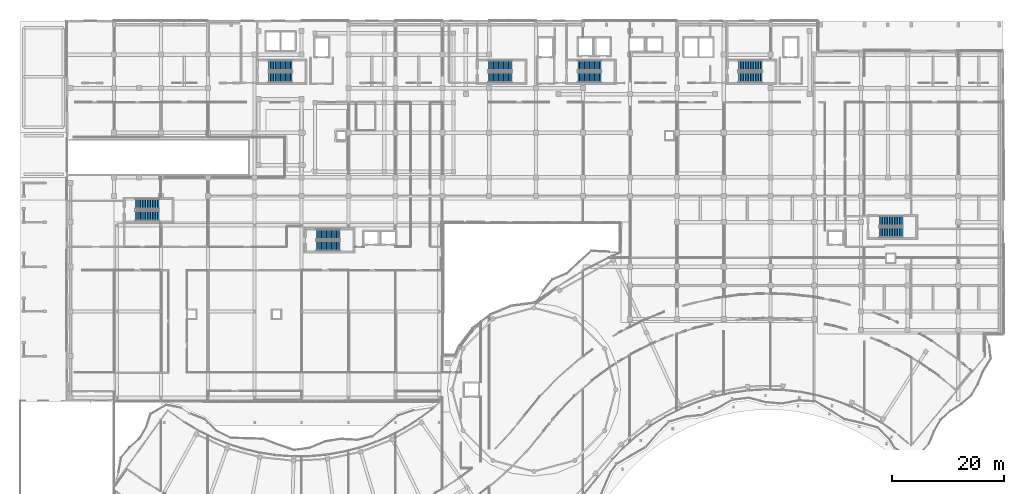
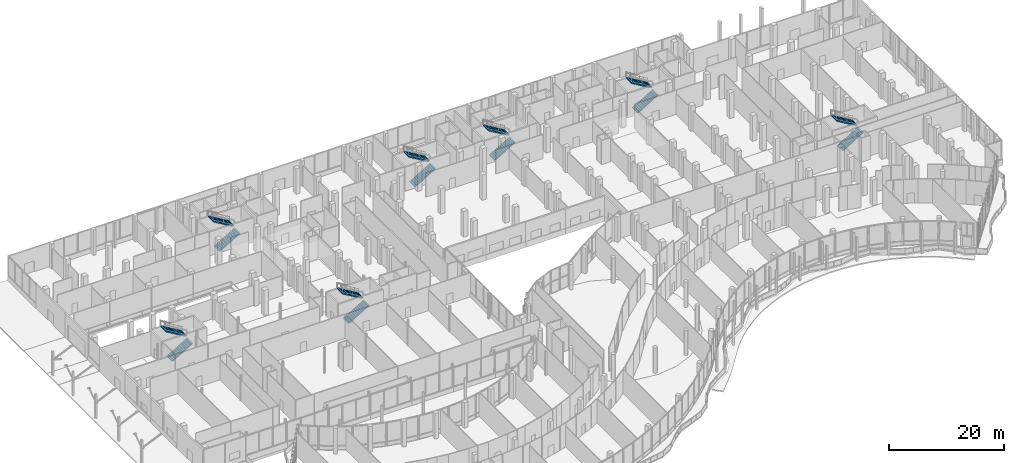
# One storey, part 146 of 158: 14 stair flights, 7 elements without a shape of their own.
"""IFC4 building model written with IfcOpenShell, lengths in metres."""

from ifc_helpers import new_model, si_unit, direction, frame, origin, place, context, subcontext, project, spatial, polyline, outline, extrude, material, layer, layer_set, type_object, element, aggregate, save


model = new_model("IFC4")

# Units and contexts
model_context = context("Model", 3, precision=1e-05, world=origin(), true_north=direction((0.0, 1.0)))
body_context = subcontext(model_context, "Body", "Model", "MODEL_VIEW")
ifc_project = project(units=[si_unit("LENGTHUNIT", "METRE"), si_unit("AREAUNIT", "SQUARE_METRE"), si_unit("VOLUMEUNIT", "CUBIC_METRE"), si_unit("PLANEANGLEUNIT", "RADIAN"), si_unit("MASSUNIT", "GRAM", prefix="KILO")], contexts=[model_context])

# Site, building, storey
site_placement = place(None, origin())
site = spatial("IfcSite", under=ifc_project, at=site_placement, CompositionType="ELEMENT")
building_placement = place(site_placement, origin())
building = spatial("IfcBuilding", under=site, at=building_placement, Name="Selatvlak General Hospital", CompositionType="ELEMENT")
storey_placement = place(building_placement, origin())
storey = spatial("IfcBuildingStorey", under=building, at=storey_placement, Name="L00", CompositionType="ELEMENT", Elevation=0.0)

# Stair, stair flights
ifc_material = material(Name="Precast concrete C40/50", Category="concrete")
stair_type_1 = type_object("IfcStairType", Name="STAIR-ST-01", PredefinedType="HALF_TURN_STAIR", material=ifc_material)
stair_1_placement = place(storey_placement, origin())
stair_1 = element("IfcStair", 1, at=stair_1_placement, inside=storey, type_object=stair_type_1, Name="L00 Protected exit stair ST-01", PredefinedType="HALF_TURN_STAIR")
ifc_layer_1 = layer(ifc_material, 0.179931640625, Name="Precast concrete C40/50", Category="concrete")
ifc_layer_set_1 = layer_set([ifc_layer_1], Name="Precast concrete C40/50")
stair_flight_type_1 = type_object("IfcStairFlightType", Name="FLIGHT-ST-01", PredefinedType="STRAIGHT", material=ifc_layer_set_1)
stair_flight_1_placement = place(storey_placement, frame((50.510009765625, 109.929931640625, 0.0), z_axis=(0.0, 0.0, 1.0), x_axis=(1.0, 0.0, 0.0)))
stair_flight_1 = element("IfcStairFlight", 2, at=stair_flight_1_placement, type_object=stair_flight_type_1, Name="ST-01 flight 1", NumberOfRisers=15, NumberOfTreads=14, PredefinedType="STRAIGHT", RiserHeight=0.18, TreadLength=0.3, context=body_context, shape_type="SweptSolid", body=[
    extrude(outline(polyline([(0.0, 0.0), (0.0, 0.179931640625), (0.300048828125, 0.179931640625), (0.300048828125, 0.360107421875), (0.60009765625, 0.360107421875), (0.60009765625, 0.5400390625), (0.89990234375, 0.5400390625), (0.89990234375, 0.719970703125), (1.199951171875, 0.719970703125), (1.199951171875, 0.89990234375), (1.5, 0.89990234375), (1.5, 1.080078125), (1.800048828125, 1.080078125), (1.800048828125, 1.260009765625), (2.10009765625, 1.260009765625), (2.10009765625, 1.43994140625), (2.39990234375, 1.43994140625), (2.39990234375, 1.6201171875), (2.699951171875, 1.6201171875), (2.699951171875, 1.800048828125), (3.0, 1.800048828125), (3.0, 1.97998046875), (3.300048828125, 1.97998046875), (3.300048828125, 2.159912109375), (3.60009765625, 2.159912109375), (3.60009765625, 2.340087890625), (3.89990234375, 2.340087890625), (3.89990234375, 2.52001953125), (4.199951171875, 2.52001953125), (4.199951171875, 2.699951171875), (4.199951171875, 2.31005859375), (0.349609375, 0.0), (0.0, 0.0)])), frame((0.0, 0.93017578125, 0.0), z_axis=(0.0, -1.0, 0.0), x_axis=(1.0, 0.0, 0.0)), (0.0, 0.0, 1.0), 1.860107421875),
])
stair_flight_2_placement = place(storey_placement, frame((54.7099609375, 112.010009765625, 2.699951171875), z_axis=(0.0, 0.0, 1.0), x_axis=(-1.0, 0.0, 0.0)))
stair_flight_2 = element("IfcStairFlight", 3, at=stair_flight_2_placement, type_object=stair_flight_type_1, Name="ST-01 flight 2", NumberOfRisers=15, NumberOfTreads=14, PredefinedType="STRAIGHT", RiserHeight=0.18, TreadLength=0.3, context=body_context, shape_type="SweptSolid", body=[
    extrude(outline(polyline([(0.0, 0.0), (0.0, 0.179931640625), (0.300048828125, 0.179931640625), (0.300048828125, 0.360107421875), (0.60009765625, 0.360107421875), (0.60009765625, 0.5400390625), (0.89990234375, 0.5400390625), (0.89990234375, 0.719970703125), (1.199951171875, 0.719970703125), (1.199951171875, 0.89990234375), (1.5, 0.89990234375), (1.5, 1.080078125), (1.800048828125, 1.080078125), (1.800048828125, 1.260009765625), (2.10009765625, 1.260009765625), (2.10009765625, 1.43994140625), (2.39990234375, 1.43994140625), (2.39990234375, 1.6201171875), (2.699951171875, 1.6201171875), (2.699951171875, 1.800048828125), (3.0, 1.800048828125), (3.0, 1.97998046875), (3.300048828125, 1.97998046875), (3.300048828125, 2.159912109375), (3.60009765625, 2.159912109375), (3.60009765625, 2.340087890625), (3.89990234375, 2.340087890625), (3.89990234375, 2.52001953125), (4.199951171875, 2.52001953125), (4.199951171875, 2.699951171875), (4.199951171875, 2.31005859375), (0.349609375, 0.0), (0.0, 0.0)])), frame((0.0, 0.93017578125, 0.0), z_axis=(0.0, -1.0, 0.0), x_axis=(1.0, 0.0, 0.0)), (0.0, 0.0, 1.0), 1.860107421875),
])
aggregate(stair_1, [stair_flight_1, stair_flight_2])

stair_type_2 = type_object("IfcStairType", Name="STAIR-ST-02", PredefinedType="HALF_TURN_STAIR", material=ifc_material)
stair_2_placement = place(storey_placement, origin())
stair_2 = element("IfcStair", 4, at=stair_2_placement, inside=storey, type_object=stair_type_2, Name="L00 Protected exit stair ST-02", PredefinedType="HALF_TURN_STAIR")
ifc_layer_2 = layer(ifc_material, 0.179931640625, Name="Precast concrete C40/50", Category="concrete")
ifc_layer_set_2 = layer_set([ifc_layer_2], Name="Precast concrete C40/50")
stair_flight_type_2 = type_object("IfcStairFlightType", Name="FLIGHT-ST-02", PredefinedType="STRAIGHT", material=ifc_layer_set_2)
stair_flight_3_placement = place(storey_placement, frame((89.860107421875, 109.929931640625, 0.0), z_axis=(0.0, 0.0, 1.0), x_axis=(1.0, 0.0, 0.0)))
stair_flight_3 = element("IfcStairFlight", 5, at=stair_flight_3_placement, type_object=stair_flight_type_2, Name="ST-02 flight 1", NumberOfRisers=15, NumberOfTreads=14, PredefinedType="STRAIGHT", RiserHeight=0.18, TreadLength=0.3, context=body_context, shape_type="SweptSolid", body=[
    extrude(outline(polyline([(0.0, 0.0), (0.0, 0.179931640625), (0.300048828125, 0.179931640625), (0.300048828125, 0.360107421875), (0.60009765625, 0.360107421875), (0.60009765625, 0.5400390625), (0.89990234375, 0.5400390625), (0.89990234375, 0.719970703125), (1.199951171875, 0.719970703125), (1.199951171875, 0.89990234375), (1.5, 0.89990234375), (1.5, 1.080078125), (1.800048828125, 1.080078125), (1.800048828125, 1.260009765625), (2.10009765625, 1.260009765625), (2.10009765625, 1.43994140625), (2.39990234375, 1.43994140625), (2.39990234375, 1.6201171875), (2.699951171875, 1.6201171875), (2.699951171875, 1.800048828125), (3.0, 1.800048828125), (3.0, 1.97998046875), (3.300048828125, 1.97998046875), (3.300048828125, 2.159912109375), (3.60009765625, 2.159912109375), (3.60009765625, 2.340087890625), (3.89990234375, 2.340087890625), (3.89990234375, 2.52001953125), (4.199951171875, 2.52001953125), (4.199951171875, 2.699951171875), (4.199951171875, 2.31005859375), (0.349609375, 0.0), (0.0, 0.0)])), frame((0.0, 0.93017578125, 0.0), z_axis=(0.0, -1.0, 0.0), x_axis=(1.0, 0.0, 0.0)), (0.0, 0.0, 1.0), 1.860107421875),
])
stair_flight_4_placement = place(storey_placement, frame((94.06005859375, 112.010009765625, 2.699951171875), z_axis=(0.0, 0.0, 1.0), x_axis=(-1.0, 0.0, 0.0)))
stair_flight_4 = element("IfcStairFlight", 6, at=stair_flight_4_placement, type_object=stair_flight_type_2, Name="ST-02 flight 2", NumberOfRisers=15, NumberOfTreads=14, PredefinedType="STRAIGHT", RiserHeight=0.18, TreadLength=0.3, context=body_context, shape_type="SweptSolid", body=[
    extrude(outline(polyline([(0.0, 0.0), (0.0, 0.179931640625), (0.300048828125, 0.179931640625), (0.300048828125, 0.360107421875), (0.60009765625, 0.360107421875), (0.60009765625, 0.5400390625), (0.89990234375, 0.5400390625), (0.89990234375, 0.719970703125), (1.199951171875, 0.719970703125), (1.199951171875, 0.89990234375), (1.5, 0.89990234375), (1.5, 1.080078125), (1.800048828125, 1.080078125), (1.800048828125, 1.260009765625), (2.10009765625, 1.260009765625), (2.10009765625, 1.43994140625), (2.39990234375, 1.43994140625), (2.39990234375, 1.6201171875), (2.699951171875, 1.6201171875), (2.699951171875, 1.800048828125), (3.0, 1.800048828125), (3.0, 1.97998046875), (3.300048828125, 1.97998046875), (3.300048828125, 2.159912109375), (3.60009765625, 2.159912109375), (3.60009765625, 2.340087890625), (3.89990234375, 2.340087890625), (3.89990234375, 2.52001953125), (4.199951171875, 2.52001953125), (4.199951171875, 2.699951171875), (4.199951171875, 2.31005859375), (0.349609375, 0.0), (0.0, 0.0)])), frame((0.0, 0.93017578125, 0.0), z_axis=(0.0, -1.0, 0.0), x_axis=(1.0, 0.0, 0.0)), (0.0, 0.0, 1.0), 1.860107421875),
])
aggregate(stair_2, [stair_flight_3, stair_flight_4])

stair_type_3 = type_object("IfcStairType", Name="STAIR-ST-03", PredefinedType="HALF_TURN_STAIR", material=ifc_material)
stair_3_placement = place(storey_placement, origin())
stair_3 = element("IfcStair", 7, at=stair_3_placement, inside=storey, type_object=stair_type_3, Name="L00 Protected exit stair ST-03", PredefinedType="HALF_TURN_STAIR")
ifc_layer_3 = layer(ifc_material, 0.179931640625, Name="Precast concrete C40/50", Category="concrete")
ifc_layer_set_3 = layer_set([ifc_layer_3], Name="Precast concrete C40/50")
stair_flight_type_3 = type_object("IfcStairFlightType", Name="FLIGHT-ST-03", PredefinedType="STRAIGHT", material=ifc_layer_set_3)
stair_flight_5_placement = place(storey_placement, frame((105.860107421875, 109.929931640625, 0.0), z_axis=(0.0, 0.0, 1.0), x_axis=(1.0, 0.0, 0.0)))
stair_flight_5 = element("IfcStairFlight", 8, at=stair_flight_5_placement, type_object=stair_flight_type_3, Name="ST-03 flight 1", NumberOfRisers=15, NumberOfTreads=14, PredefinedType="STRAIGHT", RiserHeight=0.18, TreadLength=0.3, context=body_context, shape_type="SweptSolid", body=[
    extrude(outline(polyline([(0.0, 0.0), (0.0, 0.179931640625), (0.300048828125, 0.179931640625), (0.300048828125, 0.360107421875), (0.60009765625, 0.360107421875), (0.60009765625, 0.5400390625), (0.89990234375, 0.5400390625), (0.89990234375, 0.719970703125), (1.199951171875, 0.719970703125), (1.199951171875, 0.89990234375), (1.5, 0.89990234375), (1.5, 1.080078125), (1.800048828125, 1.080078125), (1.800048828125, 1.260009765625), (2.10009765625, 1.260009765625), (2.10009765625, 1.43994140625), (2.39990234375, 1.43994140625), (2.39990234375, 1.6201171875), (2.699951171875, 1.6201171875), (2.699951171875, 1.800048828125), (3.0, 1.800048828125), (3.0, 1.97998046875), (3.300048828125, 1.97998046875), (3.300048828125, 2.159912109375), (3.60009765625, 2.159912109375), (3.60009765625, 2.340087890625), (3.89990234375, 2.340087890625), (3.89990234375, 2.52001953125), (4.199951171875, 2.52001953125), (4.199951171875, 2.699951171875), (4.199951171875, 2.31005859375), (0.349609375, 0.0), (0.0, 0.0)])), frame((0.0, 0.93017578125, 0.0), z_axis=(0.0, -1.0, 0.0), x_axis=(1.0, 0.0, 0.0)), (0.0, 0.0, 1.0), 1.860107421875),
])
stair_flight_6_placement = place(storey_placement, frame((110.06005859375, 112.010009765625, 2.699951171875), z_axis=(0.0, 0.0, 1.0), x_axis=(-1.0, 0.0, 0.0)))
stair_flight_6 = element("IfcStairFlight", 9, at=stair_flight_6_placement, type_object=stair_flight_type_3, Name="ST-03 flight 2", NumberOfRisers=15, NumberOfTreads=14, PredefinedType="STRAIGHT", RiserHeight=0.18, TreadLength=0.3, context=body_context, shape_type="SweptSolid", body=[
    extrude(outline(polyline([(0.0, 0.0), (0.0, 0.179931640625), (0.300048828125, 0.179931640625), (0.300048828125, 0.360107421875), (0.60009765625, 0.360107421875), (0.60009765625, 0.5400390625), (0.89990234375, 0.5400390625), (0.89990234375, 0.719970703125), (1.199951171875, 0.719970703125), (1.199951171875, 0.89990234375), (1.5, 0.89990234375), (1.5, 1.080078125), (1.800048828125, 1.080078125), (1.800048828125, 1.260009765625), (2.10009765625, 1.260009765625), (2.10009765625, 1.43994140625), (2.39990234375, 1.43994140625), (2.39990234375, 1.6201171875), (2.699951171875, 1.6201171875), (2.699951171875, 1.800048828125), (3.0, 1.800048828125), (3.0, 1.97998046875), (3.300048828125, 1.97998046875), (3.300048828125, 2.159912109375), (3.60009765625, 2.159912109375), (3.60009765625, 2.340087890625), (3.89990234375, 2.340087890625), (3.89990234375, 2.52001953125), (4.199951171875, 2.52001953125), (4.199951171875, 2.699951171875), (4.199951171875, 2.31005859375), (0.349609375, 0.0), (0.0, 0.0)])), frame((0.0, 0.93017578125, 0.0), z_axis=(0.0, -1.0, 0.0), x_axis=(1.0, 0.0, 0.0)), (0.0, 0.0, 1.0), 1.860107421875),
])
aggregate(stair_3, [stair_flight_5, stair_flight_6])

stair_type_4 = type_object("IfcStairType", Name="STAIR-ST-04", PredefinedType="HALF_TURN_STAIR", material=ifc_material)
stair_4_placement = place(storey_placement, origin())
stair_4 = element("IfcStair", 10, at=stair_4_placement, inside=storey, type_object=stair_type_4, Name="L00 Protected exit stair ST-04", PredefinedType="HALF_TURN_STAIR")
ifc_layer_4 = layer(ifc_material, 0.179931640625, Name="Precast concrete C40/50", Category="concrete")
ifc_layer_set_4 = layer_set([ifc_layer_4], Name="Precast concrete C40/50")
stair_flight_type_4 = type_object("IfcStairFlightType", Name="FLIGHT-ST-04", PredefinedType="STRAIGHT", material=ifc_layer_set_4)
stair_flight_7_placement = place(storey_placement, frame((134.659912109375, 109.929931640625, 0.0), z_axis=(0.0, 0.0, 1.0), x_axis=(1.0, 0.0, 0.0)))
stair_flight_7 = element("IfcStairFlight", 11, at=stair_flight_7_placement, type_object=stair_flight_type_4, Name="ST-04 flight 1", NumberOfRisers=15, NumberOfTreads=14, PredefinedType="STRAIGHT", RiserHeight=0.18, TreadLength=0.3, context=body_context, shape_type="SweptSolid", body=[
    extrude(outline(polyline([(0.0, 0.0), (0.0, 0.179931640625), (0.300048828125, 0.179931640625), (0.300048828125, 0.360107421875), (0.60009765625, 0.360107421875), (0.60009765625, 0.5400390625), (0.89990234375, 0.5400390625), (0.89990234375, 0.719970703125), (1.199951171875, 0.719970703125), (1.199951171875, 0.89990234375), (1.5, 0.89990234375), (1.5, 1.080078125), (1.800048828125, 1.080078125), (1.800048828125, 1.260009765625), (2.10009765625, 1.260009765625), (2.10009765625, 1.43994140625), (2.39990234375, 1.43994140625), (2.39990234375, 1.6201171875), (2.699951171875, 1.6201171875), (2.699951171875, 1.800048828125), (3.0, 1.800048828125), (3.0, 1.97998046875), (3.300048828125, 1.97998046875), (3.300048828125, 2.159912109375), (3.60009765625, 2.159912109375), (3.60009765625, 2.340087890625), (3.89990234375, 2.340087890625), (3.89990234375, 2.52001953125), (4.199951171875, 2.52001953125), (4.199951171875, 2.699951171875), (4.199951171875, 2.31005859375), (0.349609375, 0.0), (0.0, 0.0)])), frame((0.0, 0.93017578125, 0.0), z_axis=(0.0, -1.0, 0.0), x_axis=(1.0, 0.0, 0.0)), (0.0, 0.0, 1.0), 1.860107421875),
])
stair_flight_8_placement = place(storey_placement, frame((138.860107421875, 112.010009765625, 2.699951171875), z_axis=(0.0, 0.0, 1.0), x_axis=(-1.0, 0.0, 0.0)))
stair_flight_8 = element("IfcStairFlight", 12, at=stair_flight_8_placement, type_object=stair_flight_type_4, Name="ST-04 flight 2", NumberOfRisers=15, NumberOfTreads=14, PredefinedType="STRAIGHT", RiserHeight=0.18, TreadLength=0.3, context=body_context, shape_type="SweptSolid", body=[
    extrude(outline(polyline([(0.0, 0.0), (0.0, 0.179931640625), (0.300048828125, 0.179931640625), (0.300048828125, 0.360107421875), (0.60009765625, 0.360107421875), (0.60009765625, 0.5400390625), (0.89990234375, 0.5400390625), (0.89990234375, 0.719970703125), (1.199951171875, 0.719970703125), (1.199951171875, 0.89990234375), (1.5, 0.89990234375), (1.5, 1.080078125), (1.800048828125, 1.080078125), (1.800048828125, 1.260009765625), (2.10009765625, 1.260009765625), (2.10009765625, 1.43994140625), (2.39990234375, 1.43994140625), (2.39990234375, 1.6201171875), (2.699951171875, 1.6201171875), (2.699951171875, 1.800048828125), (3.0, 1.800048828125), (3.0, 1.97998046875), (3.300048828125, 1.97998046875), (3.300048828125, 2.159912109375), (3.60009765625, 2.159912109375), (3.60009765625, 2.340087890625), (3.89990234375, 2.340087890625), (3.89990234375, 2.52001953125), (4.199951171875, 2.52001953125), (4.199951171875, 2.699951171875), (4.199951171875, 2.31005859375), (0.349609375, 0.0), (0.0, 0.0)])), frame((0.0, 0.93017578125, 0.0), z_axis=(0.0, -1.0, 0.0), x_axis=(1.0, 0.0, 0.0)), (0.0, 0.0, 1.0), 1.860107421875),
])
aggregate(stair_4, [stair_flight_7, stair_flight_8])

stair_type_5 = type_object("IfcStairType", Name="STAIR-ST-05", PredefinedType="HALF_TURN_STAIR", material=ifc_material)
stair_5_placement = place(storey_placement, origin())
stair_5 = element("IfcStair", 13, at=stair_5_placement, inside=storey, type_object=stair_type_5, Name="L00 Protected exit stair ST-05", PredefinedType="HALF_TURN_STAIR")
ifc_layer_5 = layer(ifc_material, 0.179931640625, Name="Precast concrete C40/50", Category="concrete")
ifc_layer_set_5 = layer_set([ifc_layer_5], Name="Precast concrete C40/50")
stair_flight_type_5 = type_object("IfcStairFlightType", Name="FLIGHT-ST-05", PredefinedType="STRAIGHT", material=ifc_layer_set_5)
stair_flight_9_placement = place(storey_placement, frame((59.06005859375, 79.72998046875, 0.0), z_axis=(0.0, 0.0, 1.0), x_axis=(1.0, 0.0, 0.0)))
stair_flight_9 = element("IfcStairFlight", 14, at=stair_flight_9_placement, type_object=stair_flight_type_5, Name="ST-05 flight 1", NumberOfRisers=15, NumberOfTreads=14, PredefinedType="STRAIGHT", RiserHeight=0.18, TreadLength=0.3, context=body_context, shape_type="SweptSolid", body=[
    extrude(outline(polyline([(0.0, 0.0), (0.0, 0.179931640625), (0.300048828125, 0.179931640625), (0.300048828125, 0.360107421875), (0.60009765625, 0.360107421875), (0.60009765625, 0.5400390625), (0.89990234375, 0.5400390625), (0.89990234375, 0.719970703125), (1.199951171875, 0.719970703125), (1.199951171875, 0.89990234375), (1.5, 0.89990234375), (1.5, 1.080078125), (1.800048828125, 1.080078125), (1.800048828125, 1.260009765625), (2.10009765625, 1.260009765625), (2.10009765625, 1.43994140625), (2.39990234375, 1.43994140625), (2.39990234375, 1.6201171875), (2.699951171875, 1.6201171875), (2.699951171875, 1.800048828125), (3.0, 1.800048828125), (3.0, 1.97998046875), (3.300048828125, 1.97998046875), (3.300048828125, 2.159912109375), (3.60009765625, 2.159912109375), (3.60009765625, 2.340087890625), (3.89990234375, 2.340087890625), (3.89990234375, 2.52001953125), (4.199951171875, 2.52001953125), (4.199951171875, 2.699951171875), (4.199951171875, 2.31005859375), (0.349609375, 0.0), (0.0, 0.0)])), frame((0.0, 0.93017578125, 0.0), z_axis=(0.0, -1.0, 0.0), x_axis=(1.0, 0.0, 0.0)), (0.0, 0.0, 1.0), 1.860107421875),
])
stair_flight_10_placement = place(storey_placement, frame((63.260009765625, 81.81005859375, 2.699951171875), z_axis=(0.0, 0.0, 1.0), x_axis=(-1.0, 0.0, 0.0)))
stair_flight_10 = element("IfcStairFlight", 15, at=stair_flight_10_placement, type_object=stair_flight_type_5, Name="ST-05 flight 2", NumberOfRisers=15, NumberOfTreads=14, PredefinedType="STRAIGHT", RiserHeight=0.18, TreadLength=0.3, context=body_context, shape_type="SweptSolid", body=[
    extrude(outline(polyline([(0.0, 0.0), (0.0, 0.179931640625), (0.300048828125, 0.179931640625), (0.300048828125, 0.360107421875), (0.60009765625, 0.360107421875), (0.60009765625, 0.5400390625), (0.89990234375, 0.5400390625), (0.89990234375, 0.719970703125), (1.199951171875, 0.719970703125), (1.199951171875, 0.89990234375), (1.5, 0.89990234375), (1.5, 1.080078125), (1.800048828125, 1.080078125), (1.800048828125, 1.260009765625), (2.10009765625, 1.260009765625), (2.10009765625, 1.43994140625), (2.39990234375, 1.43994140625), (2.39990234375, 1.6201171875), (2.699951171875, 1.6201171875), (2.699951171875, 1.800048828125), (3.0, 1.800048828125), (3.0, 1.97998046875), (3.300048828125, 1.97998046875), (3.300048828125, 2.159912109375), (3.60009765625, 2.159912109375), (3.60009765625, 2.340087890625), (3.89990234375, 2.340087890625), (3.89990234375, 2.52001953125), (4.199951171875, 2.52001953125), (4.199951171875, 2.699951171875), (4.199951171875, 2.31005859375), (0.349609375, 0.0), (0.0, 0.0)])), frame((0.0, 0.93017578125, 0.0), z_axis=(0.0, -1.0, 0.0), x_axis=(1.0, 0.0, 0.0)), (0.0, 0.0, 1.0), 1.860107421875),
])
aggregate(stair_5, [stair_flight_9, stair_flight_10])

stair_type_6 = type_object("IfcStairType", Name="STAIR-ST-06", PredefinedType="HALF_TURN_STAIR", material=ifc_material)
stair_6_placement = place(storey_placement, origin())
stair_6 = element("IfcStair", 16, at=stair_6_placement, inside=storey, type_object=stair_type_6, Name="L00 Protected exit stair ST-06", PredefinedType="HALF_TURN_STAIR")
ifc_layer_6 = layer(ifc_material, 0.179931640625, Name="Precast concrete C40/50", Category="concrete")
ifc_layer_set_6 = layer_set([ifc_layer_6], Name="Precast concrete C40/50")
stair_flight_type_6 = type_object("IfcStairFlightType", Name="FLIGHT-ST-06", PredefinedType="STRAIGHT", material=ifc_layer_set_6)
stair_flight_11_placement = place(storey_placement, frame((159.860107421875, 82.1298828125, 0.0), z_axis=(0.0, 0.0, 1.0), x_axis=(1.0, 0.0, 0.0)))
stair_flight_11 = element("IfcStairFlight", 17, at=stair_flight_11_placement, type_object=stair_flight_type_6, Name="ST-06 flight 1", NumberOfRisers=15, NumberOfTreads=14, PredefinedType="STRAIGHT", RiserHeight=0.18, TreadLength=0.3, context=body_context, shape_type="SweptSolid", body=[
    extrude(outline(polyline([(0.0, 0.0), (0.0, 0.179931640625), (0.300048828125, 0.179931640625), (0.300048828125, 0.360107421875), (0.60009765625, 0.360107421875), (0.60009765625, 0.5400390625), (0.89990234375, 0.5400390625), (0.89990234375, 0.719970703125), (1.199951171875, 0.719970703125), (1.199951171875, 0.89990234375), (1.5, 0.89990234375), (1.5, 1.080078125), (1.800048828125, 1.080078125), (1.800048828125, 1.260009765625), (2.10009765625, 1.260009765625), (2.10009765625, 1.43994140625), (2.39990234375, 1.43994140625), (2.39990234375, 1.6201171875), (2.699951171875, 1.6201171875), (2.699951171875, 1.800048828125), (3.0, 1.800048828125), (3.0, 1.97998046875), (3.300048828125, 1.97998046875), (3.300048828125, 2.159912109375), (3.60009765625, 2.159912109375), (3.60009765625, 2.340087890625), (3.89990234375, 2.340087890625), (3.89990234375, 2.52001953125), (4.199951171875, 2.52001953125), (4.199951171875, 2.699951171875), (4.199951171875, 2.31005859375), (0.349609375, 0.0), (0.0, 0.0)])), frame((0.0, 0.93017578125, 0.0), z_axis=(0.0, -1.0, 0.0), x_axis=(1.0, 0.0, 0.0)), (0.0, 0.0, 1.0), 1.860107421875),
])
stair_flight_12_placement = place(storey_placement, frame((164.06005859375, 84.2099609375, 2.699951171875), z_axis=(0.0, 0.0, 1.0), x_axis=(-1.0, 0.0, 0.0)))
stair_flight_12 = element("IfcStairFlight", 18, at=stair_flight_12_placement, type_object=stair_flight_type_6, Name="ST-06 flight 2", NumberOfRisers=15, NumberOfTreads=14, PredefinedType="STRAIGHT", RiserHeight=0.18, TreadLength=0.3, context=body_context, shape_type="SweptSolid", body=[
    extrude(outline(polyline([(0.0, 0.0), (0.0, 0.179931640625), (0.300048828125, 0.179931640625), (0.300048828125, 0.360107421875), (0.60009765625, 0.360107421875), (0.60009765625, 0.5400390625), (0.89990234375, 0.5400390625), (0.89990234375, 0.719970703125), (1.199951171875, 0.719970703125), (1.199951171875, 0.89990234375), (1.5, 0.89990234375), (1.5, 1.080078125), (1.800048828125, 1.080078125), (1.800048828125, 1.260009765625), (2.10009765625, 1.260009765625), (2.10009765625, 1.43994140625), (2.39990234375, 1.43994140625), (2.39990234375, 1.6201171875), (2.699951171875, 1.6201171875), (2.699951171875, 1.800048828125), (3.0, 1.800048828125), (3.0, 1.97998046875), (3.300048828125, 1.97998046875), (3.300048828125, 2.159912109375), (3.60009765625, 2.159912109375), (3.60009765625, 2.340087890625), (3.89990234375, 2.340087890625), (3.89990234375, 2.52001953125), (4.199951171875, 2.52001953125), (4.199951171875, 2.699951171875), (4.199951171875, 2.31005859375), (0.349609375, 0.0), (0.0, 0.0)])), frame((0.0, 0.93017578125, 0.0), z_axis=(0.0, -1.0, 0.0), x_axis=(1.0, 0.0, 0.0)), (0.0, 0.0, 1.0), 1.860107421875),
])
aggregate(stair_6, [stair_flight_11, stair_flight_12])

stair_type_7 = type_object("IfcStairType", Name="STAIR-ST-07", PredefinedType="HALF_TURN_STAIR", material=ifc_material)
stair_7_placement = place(storey_placement, origin())
stair_7 = element("IfcStair", 19, at=stair_7_placement, inside=storey, type_object=stair_type_7, Name="L00 Protected exit stair ST-07", PredefinedType="HALF_TURN_STAIR")
ifc_layer_7 = layer(ifc_material, 0.179931640625, Name="Precast concrete C40/50", Category="concrete")
ifc_layer_set_7 = layer_set([ifc_layer_7], Name="Precast concrete C40/50")
stair_flight_type_7 = type_object("IfcStairFlightType", Name="FLIGHT-ST-07", PredefinedType="STRAIGHT", material=ifc_layer_set_7)
stair_flight_13_placement = place(storey_placement, frame((26.659912109375, 85.1298828125, 0.0), z_axis=(0.0, 0.0, 1.0), x_axis=(1.0, 0.0, 0.0)))
stair_flight_13 = element("IfcStairFlight", 20, at=stair_flight_13_placement, type_object=stair_flight_type_7, Name="ST-07 flight 1", NumberOfRisers=15, NumberOfTreads=14, PredefinedType="STRAIGHT", RiserHeight=0.18, TreadLength=0.3, context=body_context, shape_type="SweptSolid", body=[
    extrude(outline(polyline([(0.0, 0.0), (0.0, 0.179931640625), (0.300048828125, 0.179931640625), (0.300048828125, 0.360107421875), (0.60009765625, 0.360107421875), (0.60009765625, 0.5400390625), (0.89990234375, 0.5400390625), (0.89990234375, 0.719970703125), (1.199951171875, 0.719970703125), (1.199951171875, 0.89990234375), (1.5, 0.89990234375), (1.5, 1.080078125), (1.800048828125, 1.080078125), (1.800048828125, 1.260009765625), (2.10009765625, 1.260009765625), (2.10009765625, 1.43994140625), (2.39990234375, 1.43994140625), (2.39990234375, 1.6201171875), (2.699951171875, 1.6201171875), (2.699951171875, 1.800048828125), (3.0, 1.800048828125), (3.0, 1.97998046875), (3.300048828125, 1.97998046875), (3.300048828125, 2.159912109375), (3.60009765625, 2.159912109375), (3.60009765625, 2.340087890625), (3.89990234375, 2.340087890625), (3.89990234375, 2.52001953125), (4.199951171875, 2.52001953125), (4.199951171875, 2.699951171875), (4.199951171875, 2.31005859375), (0.349609375, 0.0), (0.0, 0.0)])), frame((0.0, 0.93017578125, 0.0), z_axis=(0.0, -1.0, 0.0), x_axis=(1.0, 0.0, 0.0)), (0.0, 0.0, 1.0), 1.860107421875),
])
stair_flight_14_placement = place(storey_placement, frame((30.860107421875, 87.2099609375, 2.699951171875), z_axis=(0.0, 0.0, 1.0), x_axis=(-1.0, 0.0, 0.0)))
stair_flight_14 = element("IfcStairFlight", 21, at=stair_flight_14_placement, type_object=stair_flight_type_7, Name="ST-07 flight 2", NumberOfRisers=15, NumberOfTreads=14, PredefinedType="STRAIGHT", RiserHeight=0.18, TreadLength=0.3, context=body_context, shape_type="SweptSolid", body=[
    extrude(outline(polyline([(0.0, 0.0), (0.0, 0.179931640625), (0.300048828125, 0.179931640625), (0.300048828125, 0.360107421875), (0.60009765625, 0.360107421875), (0.60009765625, 0.5400390625), (0.89990234375, 0.5400390625), (0.89990234375, 0.719970703125), (1.199951171875, 0.719970703125), (1.199951171875, 0.89990234375), (1.5, 0.89990234375), (1.5, 1.080078125), (1.800048828125, 1.080078125), (1.800048828125, 1.260009765625), (2.10009765625, 1.260009765625), (2.10009765625, 1.43994140625), (2.39990234375, 1.43994140625), (2.39990234375, 1.6201171875), (2.699951171875, 1.6201171875), (2.699951171875, 1.800048828125), (3.0, 1.800048828125), (3.0, 1.97998046875), (3.300048828125, 1.97998046875), (3.300048828125, 2.159912109375), (3.60009765625, 2.159912109375), (3.60009765625, 2.340087890625), (3.89990234375, 2.340087890625), (3.89990234375, 2.52001953125), (4.199951171875, 2.52001953125), (4.199951171875, 2.699951171875), (4.199951171875, 2.31005859375), (0.349609375, 0.0), (0.0, 0.0)])), frame((0.0, 0.93017578125, 0.0), z_axis=(0.0, -1.0, 0.0), x_axis=(1.0, 0.0, 0.0)), (0.0, 0.0, 1.0), 1.860107421875),
])
aggregate(stair_7, [stair_flight_13, stair_flight_14])

save(model, "model.ifc")
